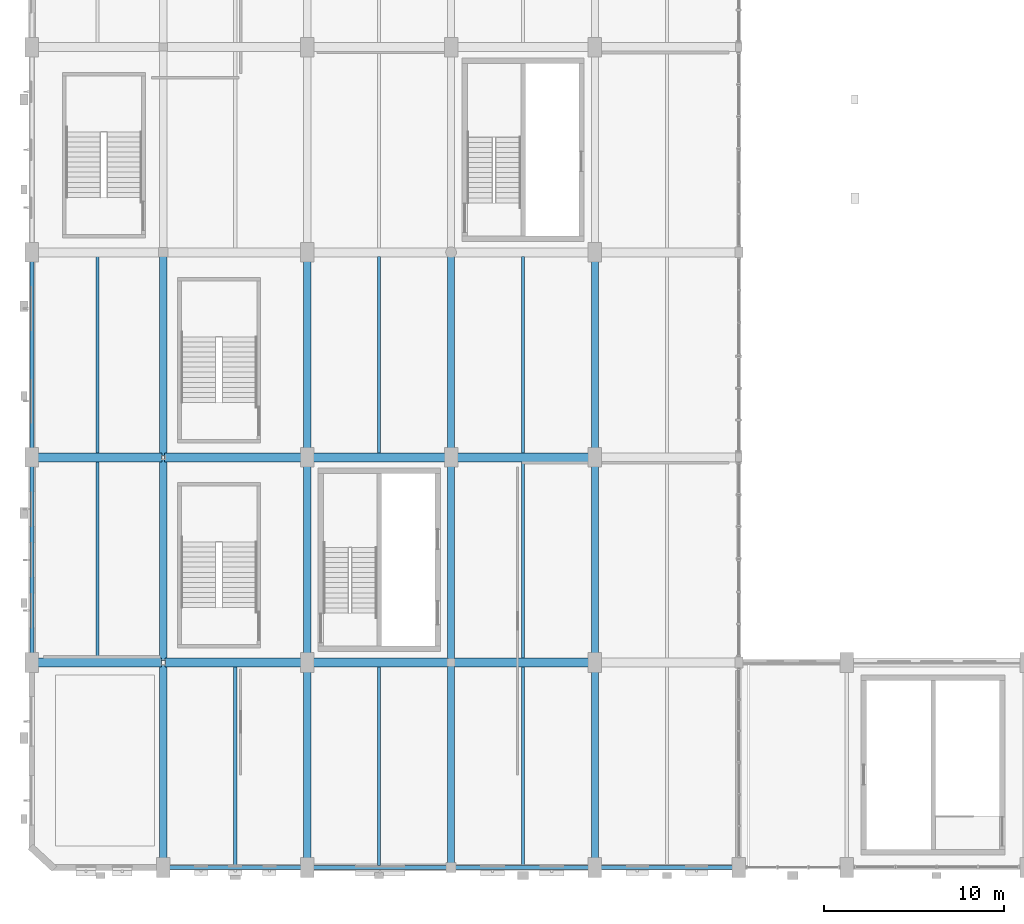
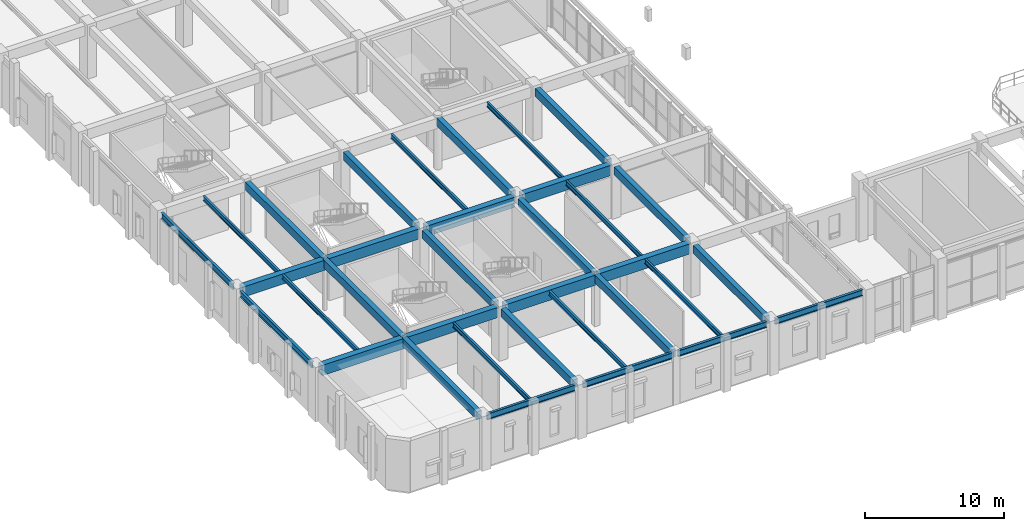
# One storey, part 16 of 106: 34 beams.
"""IFC4 building model written with IfcOpenShell, lengths in metres."""

import ifcopenshell
import ifcopenshell.guid

model = None  # the IFC model being written
_history = None  # IfcOwnerHistory: only IFC2X3 demands one
_inside = {}  # id of a spatial element -> (the spatial element, [elements in it])
_under = {}  # id of a project, library or spatial element -> (it, [spatial elements below it])
_declared = {}  # id of a project -> (the project, [libraries it declares])
_typed = {}  # id of a type object -> (the type object, [elements of that type])
_made_of = {}  # id of a material, layer set ... -> (it, [elements and type objects made of it])


def new_model(schema):
    """Start an empty IFC model of exactly this schema.

    Asked for "IFC4X3", IfcOpenShell would pick the latest addendum, in which some entities
    have other attributes; the version numbers below select the first issue.
    IFC2X3 requires an IfcOwnerHistory on every rooted entity: one is made here for all.
    """
    global model, _history
    if schema == "IFC4X3":
        model = ifcopenshell.file(schema_version=(4, 3, 0, 0))
    else:
        model = ifcopenshell.file(schema=schema)
    _inside.clear()
    _under.clear()
    _declared.clear()
    _typed.clear()
    _made_of.clear()
    _history = None
    if model.schema == "IFC2X3":
        org = make("IfcOrganization", Name="unknown")
        user = make(
            "IfcPersonAndOrganization",
            ThePerson=make("IfcPerson", FamilyName="unknown"),
            TheOrganization=org,
        )
        app = make(
            "IfcApplication",
            ApplicationDeveloper=org,
            Version="unknown",
            ApplicationFullName="unknown",
            ApplicationIdentifier="unknown",
        )
        _history = make(
            "IfcOwnerHistory",
            OwningUser=user,
            OwningApplication=app,
            ChangeAction="ADDED",
            CreationDate=0,
        )
    return model


def make(cls, **values):
    """One entity of the class cls with the attributes given. An attribute that is None is left unset."""
    return model.create_entity(
        cls, **{name: value for name, value in values.items() if value is not None}
    )


def rooted(cls, **values):
    """An entity with a GlobalId (a new one), such as an element, a storey or a relation."""
    return make(cls, GlobalId=ifcopenshell.guid.new(), OwnerHistory=_history, **values)


def si_unit(unit_type, name, prefix=None):
    """IfcSIUnit, for example si_unit("LENGTHUNIT", "METRE", prefix="MILLI")."""
    return make("IfcSIUnit", UnitType=unit_type, Prefix=prefix, Name=name)


def assignment(units):
    """IfcUnitAssignment: the units of a project."""
    return None if units is None else make("IfcUnitAssignment", Units=units)


def point(xyz):
    """IfcCartesianPoint."""
    return None if xyz is None else make("IfcCartesianPoint", Coordinates=xyz)


def direction(xyz):
    """IfcDirection."""
    return None if xyz is None else make("IfcDirection", DirectionRatios=xyz)


def frame(location, z_axis=None, x_axis=None):
    """IfcAxis2Placement3D, a coordinate frame: its origin and axes. An axis left out is left unset."""
    return make(
        "IfcAxis2Placement3D",
        Location=point(location),
        Axis=direction(z_axis),
        RefDirection=direction(x_axis),
    )


def frame_2d(location, x_axis=None):
    """IfcAxis2Placement2D, a coordinate frame in the plane: its origin and x axis."""
    return make(
        "IfcAxis2Placement2D", Location=point(location), RefDirection=direction(x_axis)
    )


def origin():
    """The frame at (0, 0, 0) with its axes left unset."""
    return frame((0.0, 0.0, 0.0))


def origin_2d():
    """The frame at (0, 0) in the plane with its x axis left unset."""
    return frame_2d((0.0, 0.0))


def place(relative_to, where):
    """IfcLocalPlacement: puts the frame where relative to a parent placement (None: the world)."""
    return make(
        "IfcLocalPlacement", PlacementRelTo=relative_to, RelativePlacement=where
    )


def context(
    kind, dimensions, precision=None, world=None, true_north=None, identifier=None
):
    """IfcGeometricRepresentationContext, for example the 3D "Model" context."""
    return make(
        "IfcGeometricRepresentationContext",
        ContextIdentifier=identifier,
        ContextType=kind,
        CoordinateSpaceDimension=dimensions,
        Precision=precision,
        WorldCoordinateSystem=world,
        TrueNorth=true_north,
    )


def subcontext(parent, identifier, kind, view, scale=None):
    """IfcGeometricRepresentationSubContext, for example "Body" below "Model"."""
    return make(
        "IfcGeometricRepresentationSubContext",
        ContextIdentifier=identifier,
        ContextType=kind,
        ParentContext=parent,
        TargetScale=scale,
        TargetView=view,
    )


def project(units=None, contexts=None):
    """IfcProject with its units and contexts."""
    return rooted(
        "IfcProject",
        Name="project",
        RepresentationContexts=contexts,
        UnitsInContext=assignment(units),
    )


def spatial(cls, under=None, at=None, **own):
    """A site, building, storey or space (cls), placed at a placement, below another one or the project."""
    s = rooted(cls, ObjectPlacement=at, **own)
    if under is not None:
        _under.setdefault(under.id(), (under, []))[1].append(s)
    return s


def profile(cls, at=None, kind="AREA", **sizes):
    """A parametric profile (cls). Its sizes go by their IFC names, for example OverallWidth=200.0."""
    return make(cls, ProfileType=kind, Position=at, **sizes)


def rectangle(**sizes):
    """IfcRectangleProfileDef."""
    return profile("IfcRectangleProfileDef", **sizes)


def i_section(**sizes):
    """IfcIShapeProfileDef."""
    return profile("IfcIShapeProfileDef", **sizes)


def extrude(swept, where, along, depth):
    """IfcExtrudedAreaSolid: the profile swept, set in the frame where, extruded along a direction by depth."""
    return make(
        "IfcExtrudedAreaSolid",
        SweptArea=swept,
        Position=where,
        ExtrudedDirection=direction(along),
        Depth=depth,
    )


def shape(context_of_items, identifier, shape_type, items):
    """IfcShapeRepresentation: the items that make up one representation, for example the "Body"."""
    return make(
        "IfcShapeRepresentation",
        ContextOfItems=context_of_items,
        RepresentationIdentifier=identifier,
        RepresentationType=shape_type,
        Items=items,
    )


def material(Name=None, Category=None):
    """IfcMaterial."""
    return make("IfcMaterial", Name=Name, Category=Category)


def material_profile(
    of_material, cross_section, Name=None, Category=None, Priority=None
):
    """IfcMaterialProfile: a cross section and its material."""
    return make(
        "IfcMaterialProfile",
        Name=Name,
        Material=of_material,
        Profile=cross_section,
        Priority=Priority,
        Category=Category,
    )


def profile_set(profiles, Name=None, composite=None):
    """IfcMaterialProfileSet."""
    return make(
        "IfcMaterialProfileSet",
        Name=Name,
        MaterialProfiles=profiles,
        CompositeProfile=composite,
    )


def made_of(thing, what):
    """Note that an element or type object is made of a material, layer set ...; save() writes the relation."""
    if what is not None:
        _made_of.setdefault(what.id(), (what, []))[1].append(thing)
    return thing


def type_object(cls, material=None, **own):
    """A type object (cls), such as IfcWallType, which elements share."""
    return made_of(rooted(cls, **own), material)


def element(
    cls,
    number,
    at=None,
    inside=None,
    cuts=None,
    type_object=None,
    material=None,
    context=None,
    identifier="Body",
    shape_type=None,
    held_by="IfcProductDefinitionShape",
    body=None,
    shapes=None,
    **own,
):
    """One element of the class cls, such as IfcWall. Its Tag is "e" and its number.

    at: its placement. inside: the storey or other place that contains it. cuts: it is an
    opening in that element (IfcRelVoidsElement). A single representation is given by context,
    identifier, shape_type and body (its items); several are given by shapes. held_by: the class
    of the entity that holds the representations. save() writes the other relations.
    """
    e = rooted(cls, Tag="e%d" % number, ObjectPlacement=at, **own)
    if body is not None:
        shapes = [shape(context, identifier, shape_type, body)]
    if shapes is not None:
        e.Representation = make(held_by, Representations=shapes)
    if inside is not None:
        _inside.setdefault(inside.id(), (inside, []))[1].append(e)
    if cuts is not None:
        rooted(
            "IfcRelVoidsElement", RelatingBuildingElement=cuts, RelatedOpeningElement=e
        )
    if type_object is not None:
        _typed.setdefault(type_object.id(), (type_object, []))[1].append(e)
    return made_of(e, material)


def aggregate(whole, parts):
    """IfcRelAggregates: a whole, such as a stair, and the parts it consists of."""
    return rooted("IfcRelAggregates", RelatingObject=whole, RelatedObjects=parts)


def save(model, path):
    """Write the relations noted so far, then the file.

    IfcRelAggregates (storeys below a building ...), IfcRelContainedInSpatialStructure (elements
    in a storey), IfcRelDefinesByType, IfcRelAssociatesMaterial and IfcRelDeclares: one each for
    every whole, place, type object, material and project.
    """
    for whole, parts in _under.values():
        aggregate(whole, parts)
    for where, things in _inside.values():
        rooted(
            "IfcRelContainedInSpatialStructure",
            RelatedElements=things,
            RelatingStructure=where,
        )
    for kind, things in _typed.values():
        rooted("IfcRelDefinesByType", RelatedObjects=things, RelatingType=kind)
    for what, things in _made_of.values():
        rooted("IfcRelAssociatesMaterial", RelatedObjects=things, RelatingMaterial=what)
    for by, libraries in _declared.values():
        rooted("IfcRelDeclares", RelatingContext=by, RelatedDefinitions=libraries)
    model.write(path)


model = new_model("IFC4")

# Units and contexts
model_context = context("Model", 3, precision=1e-05, world=origin(), true_north=direction((0.0, 1.0)))
body_context = subcontext(model_context, "Body", "Model", "MODEL_VIEW")
ifc_project = project(units=[si_unit("LENGTHUNIT", "METRE"), si_unit("AREAUNIT", "SQUARE_METRE"), si_unit("VOLUMEUNIT", "CUBIC_METRE"), si_unit("PLANEANGLEUNIT", "RADIAN"), si_unit("MASSUNIT", "GRAM", prefix="KILO"), si_unit("POWERUNIT", "WATT"), si_unit("THERMODYNAMICTEMPERATUREUNIT", "KELVIN")], contexts=[model_context])

# Site, building, storey
site_placement = place(None, origin())
site = spatial("IfcSite", under=ifc_project, at=site_placement, CompositionType="ELEMENT")
building_placement = place(site_placement, origin())
building = spatial("IfcBuilding", under=site, at=building_placement, Name="Kelmbourne Parkland Aquatics Centre", CompositionType="ELEMENT")
storey_placement = place(building_placement, frame((0.0, 0.0, 5.39990234375)))
storey = spatial("IfcBuildingStorey", under=building, at=storey_placement, Name="L01", CompositionType="ELEMENT", Elevation=5.39990234375)

# Beams
ifc_material_1 = material(Name="Concrete C40/50", Category="concrete")
ifc_material_profile_1 = material_profile(ifc_material_1, rectangle(XDim=0.5, YDim=0.89990234375, at=origin_2d()), Name="RC 500x900")
ifc_profile_set_1 = profile_set([ifc_material_profile_1], Name="Concrete C40/50")
beam_type_1 = type_object("IfcBeamType", Name="BM-G03", PredefinedType="BEAM", material=ifc_profile_set_1)
beam_1_placement = place(storey_placement, frame((1.030029296875, 12.199951171875, 4.110107421875), z_axis=(1.0, 0.0, 0.0), x_axis=(0.0, 1.0, 0.0)))
element("IfcBeam", 1, at=beam_1_placement, inside=storey, type_object=beam_type_1, Name="Primary girder A-B Grid 03 (L02)", PredefinedType="BEAM", context=body_context, shape_type="SweptSolid", body=[
    extrude(rectangle(XDim=0.5, YDim=0.89990234375, at=origin_2d()), origin(), (0.0, 0.0, 1.0), 6.864990234375),
])
beam_2_placement = place(storey_placement, frame((8.10498046875, 12.199951171875, 4.110107421875), z_axis=(1.0, 0.0, 0.0), x_axis=(0.0, 1.0, 0.0)))
element("IfcBeam", 2, at=beam_2_placement, inside=storey, type_object=beam_type_1, Name="Primary girder B-C Grid 03 (L02)", PredefinedType="BEAM", context=body_context, shape_type="SweptSolid", body=[
    extrude(rectangle(XDim=0.5, YDim=0.89990234375, at=origin_2d()), origin(), (0.0, 0.0, 1.0), 7.56494140625),
])
for number, where, z_axis, x_axis, name in (
    (3, (16.330078125, 12.199951171875, 4.110107421875), (1.0, 0.0, 0.0), (0.0, 1.0, 0.0), "Primary girder C-D Grid 03 (L02)"),
    (4, (24.179931640625, 12.199951171875, 4.110107421875), (1.0, 0.0, 0.0), (0.0, 1.0, 0.0), "Primary girder D-E Grid 03 (L02)"),
):
    element("IfcBeam", number, at=place(storey_placement, frame(where, z_axis=z_axis, x_axis=x_axis)), inside=storey, type_object=beam_type_1, Name=name, PredefinedType="BEAM", context=body_context, shape_type="SweptSolid", body=[
        extrude(rectangle(XDim=0.5, YDim=0.89990234375, at=origin_2d()), origin(), (0.0, 0.0, 1.0), 7.489990234375),
    ])
beam_3_placement = place(storey_placement, frame((1.030029296875, 23.60009765625, 4.110107421875), z_axis=(1.0, 0.0, 0.0), x_axis=(0.0, 1.0, 0.0)))
element("IfcBeam", 5, at=beam_3_placement, inside=storey, type_object=beam_type_1, Name="Primary girder A-B Grid 04 (L02)", PredefinedType="BEAM", context=body_context, shape_type="SweptSolid", body=[
    extrude(rectangle(XDim=0.5, YDim=0.89990234375, at=origin_2d()), origin(), (0.0, 0.0, 1.0), 6.889892578125),
])
beam_4_placement = place(storey_placement, frame((8.080078125, 23.60009765625, 4.110107421875), z_axis=(1.0, 0.0, 0.0), x_axis=(0.0, 1.0, 0.0)))
element("IfcBeam", 6, at=beam_4_placement, inside=storey, type_object=beam_type_1, Name="Primary girder B-C Grid 04 (L02)", PredefinedType="BEAM", context=body_context, shape_type="SweptSolid", body=[
    extrude(rectangle(XDim=0.5, YDim=0.89990234375, at=origin_2d()), origin(), (0.0, 0.0, 1.0), 7.58984375),
])
for number, where, z_axis, x_axis, name in (
    (7, (16.330078125, 23.60009765625, 4.110107421875), (1.0, 0.0, 0.0), (0.0, 1.0, 0.0), "Primary girder C-D Grid 04 (L02)"),
    (8, (24.330078125, 23.60009765625, 4.110107421875), (1.0, 0.0, 0.0), (0.0, 1.0, 0.0), "Primary girder D-E Grid 04 (L02)"),
):
    element("IfcBeam", number, at=place(storey_placement, frame(where, z_axis=z_axis, x_axis=x_axis)), inside=storey, type_object=beam_type_1, Name=name, PredefinedType="BEAM", context=body_context, shape_type="SweptSolid", body=[
        extrude(rectangle(XDim=0.5, YDim=0.89990234375, at=origin_2d()), origin(), (0.0, 0.0, 1.0), 7.33984375),
    ])
ifc_material_profile_2 = material_profile(ifc_material_1, rectangle(XDim=0.39990234375, YDim=0.699951171875, at=origin_2d()), Name="RC 400x700")
ifc_profile_set_2 = profile_set([ifc_material_profile_2], Name="Concrete C40/50")
beam_type_2 = type_object("IfcBeamType", Name="BM-G05", PredefinedType="BEAM", material=ifc_profile_set_2)
beam_5_placement = place(storey_placement, frame((8.0, 1.304931640625, 4.210205078125), z_axis=(0.0, 1.0, 0.0), x_axis=(-1.0, 0.0, 0.0)))
element("IfcBeam", 9, at=beam_5_placement, inside=storey, type_object=beam_type_2, Name="Primary girder 01-03 Grid B (L02)", PredefinedType="BEAM", context=body_context, shape_type="SweptSolid", body=[
    extrude(rectangle(XDim=0.39990234375, YDim=0.699951171875, at=origin_2d()), origin(), (0.0, 0.0, 1.0), 10.7900390625),
])
beam_6_placement = place(storey_placement, frame((8.0, 12.304931640625, 4.210205078125), z_axis=(0.0, 1.0, 0.0), x_axis=(-1.0, 0.0, 0.0)))
element("IfcBeam", 10, at=beam_6_placement, inside=storey, type_object=beam_type_2, Name="Primary girder 03-04 Grid B (L02)", PredefinedType="BEAM", context=body_context, shape_type="SweptSolid", body=[
    extrude(rectangle(XDim=0.39990234375, YDim=0.699951171875, at=origin_2d()), origin(), (0.0, 0.0, 1.0), 11.215087890625),
])
beam_7_placement = place(storey_placement, frame((8.0, 23.679931640625, 4.210205078125), z_axis=(0.0, 1.0, 0.0), x_axis=(-1.0, 0.0, 0.0)))
element("IfcBeam", 11, at=beam_7_placement, inside=storey, type_object=beam_type_2, Name="Primary girder 04-05 Grid B (L02)", PredefinedType="BEAM", context=body_context, shape_type="SweptSolid", body=[
    extrude(rectangle(XDim=0.39990234375, YDim=0.699951171875, at=origin_2d()), origin(), (0.0, 0.0, 1.0), 11.090087890625),
])
beam_8_placement = place(storey_placement, frame((16.0, 1.304931640625, 4.210205078125), z_axis=(0.0, 1.0, 0.0), x_axis=(-1.0, 0.0, 0.0)))
element("IfcBeam", 12, at=beam_8_placement, inside=storey, type_object=beam_type_2, Name="Primary girder 01-03 Grid C (L02)", PredefinedType="BEAM", context=body_context, shape_type="SweptSolid", body=[
    extrude(rectangle(XDim=0.39990234375, YDim=0.699951171875, at=origin_2d()), origin(), (0.0, 0.0, 1.0), 10.39013671875),
])
beam_9_placement = place(storey_placement, frame((16.0, 12.705078125, 4.210205078125), z_axis=(0.0, 1.0, 0.0), x_axis=(-1.0, 0.0, 0.0)))
element("IfcBeam", 13, at=beam_9_placement, inside=storey, type_object=beam_type_2, Name="Primary girder 03-04 Grid C (L02)", PredefinedType="BEAM", context=body_context, shape_type="SweptSolid", body=[
    extrude(rectangle(XDim=0.39990234375, YDim=0.699951171875, at=origin_2d()), origin(), (0.0, 0.0, 1.0), 10.389892578125),
])
beam_10_placement = place(storey_placement, frame((16.0, 24.10498046875, 4.210205078125), z_axis=(0.0, 1.0, 0.0), x_axis=(-1.0, 0.0, 0.0)))
element("IfcBeam", 14, at=beam_10_placement, inside=storey, type_object=beam_type_2, Name="Primary girder 04-05 Grid C (L02)", PredefinedType="BEAM", context=body_context, shape_type="SweptSolid", body=[
    extrude(rectangle(XDim=0.39990234375, YDim=0.699951171875, at=origin_2d()), origin(), (0.0, 0.0, 1.0), 10.39013671875),
])
beam_11_placement = place(storey_placement, frame((24.0, 1.030029296875, 4.210205078125), z_axis=(0.0, 1.0, 0.0), x_axis=(-1.0, 0.0, 0.0)))
element("IfcBeam", 15, at=beam_11_placement, inside=storey, type_object=beam_type_2, Name="Primary girder 01-03 Grid D (L02)", PredefinedType="BEAM", context=body_context, shape_type="SweptSolid", body=[
    extrude(rectangle(XDim=0.39990234375, YDim=0.699951171875, at=origin_2d()), origin(), (0.0, 0.0, 1.0), 10.989990234375),
])
beam_12_placement = place(storey_placement, frame((24.0, 12.3798828125, 4.210205078125), z_axis=(0.0, 1.0, 0.0), x_axis=(-1.0, 0.0, 0.0)))
element("IfcBeam", 16, at=beam_12_placement, inside=storey, type_object=beam_type_2, Name="Primary girder 03-04 Grid D (L02)", PredefinedType="BEAM", context=body_context, shape_type="SweptSolid", body=[
    extrude(rectangle(XDim=0.39990234375, YDim=0.699951171875, at=origin_2d()), origin(), (0.0, 0.0, 1.0), 10.715087890625),
])
beam_13_placement = place(storey_placement, frame((24.0, 24.10498046875, 4.210205078125), z_axis=(0.0, 1.0, 0.0), x_axis=(-1.0, 0.0, 0.0)))
element("IfcBeam", 17, at=beam_13_placement, inside=storey, type_object=beam_type_2, Name="Primary girder 04-05 Grid D (L02)", PredefinedType="BEAM", context=body_context, shape_type="SweptSolid", body=[
    extrude(rectangle(XDim=0.39990234375, YDim=0.699951171875, at=origin_2d()), origin(), (0.0, 0.0, 1.0), 10.72412109375),
])
beam_14_placement = place(storey_placement, frame((32.0, 1.304931640625, 4.210205078125), z_axis=(0.0, 1.0, 0.0), x_axis=(-1.0, 0.0, 0.0)))
element("IfcBeam", 18, at=beam_14_placement, inside=storey, type_object=beam_type_2, Name="Primary girder 01-03 Grid E (L02)", PredefinedType="BEAM", context=body_context, shape_type="SweptSolid", body=[
    extrude(rectangle(XDim=0.39990234375, YDim=0.699951171875, at=origin_2d()), origin(), (0.0, 0.0, 1.0), 10.39013671875),
])
beam_15_placement = place(storey_placement, frame((32.0, 12.705078125, 4.210205078125), z_axis=(0.0, 1.0, 0.0), x_axis=(-1.0, 0.0, 0.0)))
element("IfcBeam", 19, at=beam_15_placement, inside=storey, type_object=beam_type_2, Name="Primary girder 03-04 Grid E (L02)", PredefinedType="BEAM", context=body_context, shape_type="SweptSolid", body=[
    extrude(rectangle(XDim=0.39990234375, YDim=0.699951171875, at=origin_2d()), origin(), (0.0, 0.0, 1.0), 10.389892578125),
])
beam_16_placement = place(storey_placement, frame((32.0, 24.10498046875, 4.210205078125), z_axis=(0.0, 1.0, 0.0), x_axis=(-1.0, 0.0, 0.0)))
element("IfcBeam", 20, at=beam_16_placement, inside=storey, type_object=beam_type_2, Name="Primary girder 04-05 Grid E (L02)", PredefinedType="BEAM", context=body_context, shape_type="SweptSolid", body=[
    extrude(rectangle(XDim=0.39990234375, YDim=0.699951171875, at=origin_2d()), origin(), (0.0, 0.0, 1.0), 10.39013671875),
])
ifc_material_2 = material(Name="Structural steel AS/NZS 3679.1 Grade 300", Category="steel")
ifc_material_profile_3 = material_profile(ifc_material_2, i_section(OverallWidth=0.177978515625, OverallDepth=0.406005859375, WebThickness=0.0078125, FlangeThickness=0.0126953125, at=origin_2d()), Name="410UB59.7")
ifc_profile_set_3 = profile_set([ifc_material_profile_3], Name="Structural steel AS/NZS 3679.1 Grade 300")
beam_type_3 = type_object("IfcBeamType", Name="BM-J01", PredefinedType="JOIST", material=ifc_profile_set_3)
for number, where, z_axis, x_axis, name in (
    (21, (4.35009765625, 12.44189453125, 4.357177734375), (0.0, 1.0, 0.0), (-1.0, 0.0, 0.0), "Secondary floor joist A-B/03-04 #1 (L02)"),
    (22, (4.35009765625, 23.842041015625, 4.357177734375), (0.0, 1.0, 0.0), (-1.0, 0.0, 0.0), "Secondary floor joist A-B/04-05 #1 (L02)"),
):
    element("IfcBeam", number, at=place(storey_placement, frame(where, z_axis=z_axis, x_axis=x_axis)), inside=storey, type_object=beam_type_3, Name=name, PredefinedType="JOIST", context=body_context, shape_type="SweptSolid", body=[
        extrude(i_section(OverallWidth=0.177978515625, OverallDepth=0.406005859375, WebThickness=0.0078125, FlangeThickness=0.0126953125, at=origin_2d()), origin(), (0.0, 0.0, 1.0), 10.916015625),
    ])
for number, where, z_axis, x_axis, name in (
    (23, (12.0, 0.896484375, 4.357177734375), (0.0, 1.0, 0.0), (-1.0, 0.0, 0.0), "Secondary floor joist B-C/01-03 #1 (L02)"),
    (24, (20.0, 0.896484375, 4.357177734375), (0.0, 1.0, 0.0), (-1.0, 0.0, 0.0), "Secondary floor joist C-D/01-03 #1 (L02)"),
):
    element("IfcBeam", number, at=place(storey_placement, frame(where, z_axis=z_axis, x_axis=x_axis)), inside=storey, type_object=beam_type_3, Name=name, PredefinedType="JOIST", context=body_context, shape_type="SweptSolid", body=[
        extrude(i_section(OverallWidth=0.177978515625, OverallDepth=0.406005859375, WebThickness=0.0078125, FlangeThickness=0.0126953125, at=origin_2d()), origin(), (0.0, 0.0, 1.0), 11.0615234375),
    ])
beam_17_placement = place(storey_placement, frame((20.0, 23.842041015625, 4.357177734375), z_axis=(0.0, 1.0, 0.0), x_axis=(-1.0, 0.0, 0.0)))
element("IfcBeam", 25, at=beam_17_placement, inside=storey, type_object=beam_type_3, Name="Secondary floor joist C-D/04-05 #1 (L02)", PredefinedType="JOIST", context=body_context, shape_type="SweptSolid", body=[
    extrude(i_section(OverallWidth=0.177978515625, OverallDepth=0.406005859375, WebThickness=0.0078125, FlangeThickness=0.0126953125, at=origin_2d()), origin(), (0.0, 0.0, 1.0), 10.916015625),
])
beam_18_placement = place(storey_placement, frame((28.0, 0.896484375, 4.357177734375), z_axis=(0.0, 1.0, 0.0), x_axis=(-1.0, 0.0, 0.0)))
element("IfcBeam", 26, at=beam_18_placement, inside=storey, type_object=beam_type_3, Name="Secondary floor joist D-E/01-03 #1 (L02)", PredefinedType="JOIST", context=body_context, shape_type="SweptSolid", body=[
    extrude(i_section(OverallWidth=0.177978515625, OverallDepth=0.406005859375, WebThickness=0.0078125, FlangeThickness=0.0126953125, at=origin_2d()), origin(), (0.0, 0.0, 1.0), 11.0615234375),
])
for number, where, z_axis, x_axis, name in (
    (27, (28.0, 12.44189453125, 4.357177734375), (0.0, 1.0, 0.0), (-1.0, 0.0, 0.0), "Secondary floor joist D-E/03-04 #1 (L02)"),
    (28, (28.0, 23.842041015625, 4.357177734375), (0.0, 1.0, 0.0), (-1.0, 0.0, 0.0), "Secondary floor joist D-E/04-05 #1 (L02)"),
):
    element("IfcBeam", number, at=place(storey_placement, frame(where, z_axis=z_axis, x_axis=x_axis)), inside=storey, type_object=beam_type_3, Name=name, PredefinedType="JOIST", context=body_context, shape_type="SweptSolid", body=[
        extrude(i_section(OverallWidth=0.177978515625, OverallDepth=0.406005859375, WebThickness=0.0078125, FlangeThickness=0.0126953125, at=origin_2d()), origin(), (0.0, 0.0, 1.0), 10.916015625),
    ])
ifc_material_profile_4 = material_profile(ifc_material_2, i_section(OverallWidth=0.208984375, OverallDepth=0.532958984375, WebThickness=0.01025390625, FlangeThickness=0.015625, at=origin_2d()), Name="530UB92.4")
ifc_profile_set_4 = profile_set([ifc_material_profile_4], Name="Structural steel AS/NZS 3679.1 Grade 300")
beam_type_4 = type_object("IfcBeamType", Name="BM-SP02", PredefinedType="SPANDREL", material=ifc_profile_set_4)
beam_19_placement = place(storey_placement, frame((8.330078125, 0.800048828125, 4.293701171875), z_axis=(1.0, 0.0, 0.0), x_axis=(0.0, 1.0, 0.0)))
element("IfcBeam", 29, at=beam_19_placement, inside=storey, type_object=beam_type_4, Name="Perimeter spandrel B-C Grid 01 (L02)", PredefinedType="SPANDREL", context=body_context, shape_type="SweptSolid", body=[
    extrude(i_section(OverallWidth=0.208984375, OverallDepth=0.532958984375, WebThickness=0.01025390625, FlangeThickness=0.015625, at=origin_2d()), origin(), (0.0, 0.0, 1.0), 7.33984375),
])
for number, where, z_axis, x_axis, name in (
    (30, (16.330078125, 0.800048828125, 4.293701171875), (1.0, 0.0, 0.0), (0.0, 1.0, 0.0), "Perimeter spandrel C-D Grid 01 (L02)"),
    (31, (24.22998046875, 0.800048828125, 4.293701171875), (1.0, 0.0, 0.0), (0.0, 1.0, 0.0), "Perimeter spandrel D-E Grid 01 (L02)"),
):
    element("IfcBeam", number, at=place(storey_placement, frame(where, z_axis=z_axis, x_axis=x_axis)), inside=storey, type_object=beam_type_4, Name=name, PredefinedType="SPANDREL", context=body_context, shape_type="SweptSolid", body=[
        extrude(i_section(OverallWidth=0.208984375, OverallDepth=0.532958984375, WebThickness=0.01025390625, FlangeThickness=0.015625, at=origin_2d()), origin(), (0.0, 0.0, 1.0), 7.43994140625),
    ])
beam_20_placement = place(storey_placement, frame((32.330078125, 0.800048828125, 4.293701171875), z_axis=(1.0, 0.0, 0.0), x_axis=(0.0, 1.0, 0.0)))
element("IfcBeam", 32, at=beam_20_placement, inside=storey, type_object=beam_type_4, Name="Perimeter spandrel E-F Grid 01 (L02)", PredefinedType="SPANDREL", context=body_context, shape_type="SweptSolid", body=[
    extrude(i_section(OverallWidth=0.208984375, OverallDepth=0.532958984375, WebThickness=0.01025390625, FlangeThickness=0.015625, at=origin_2d()), origin(), (0.0, 0.0, 1.0), 7.33984375),
])
beam_21_placement = place(storey_placement, frame((0.699951171875, 12.705078125, 4.293701171875), z_axis=(0.0, 1.0, 0.0), x_axis=(-1.0, 0.0, 0.0)))
element("IfcBeam", 33, at=beam_21_placement, inside=storey, type_object=beam_type_4, Name="Perimeter spandrel 03-04 Grid A (L02)", PredefinedType="SPANDREL", context=body_context, shape_type="SweptSolid", body=[
    extrude(i_section(OverallWidth=0.208984375, OverallDepth=0.532958984375, WebThickness=0.01025390625, FlangeThickness=0.015625, at=origin_2d()), origin(), (0.0, 0.0, 1.0), 10.389892578125),
])
beam_22_placement = place(storey_placement, frame((0.699951171875, 24.10498046875, 4.293701171875), z_axis=(0.0, 1.0, 0.0), x_axis=(-1.0, 0.0, 0.0)))
element("IfcBeam", 34, at=beam_22_placement, inside=storey, type_object=beam_type_4, Name="Perimeter spandrel 04-05 Grid A (L02)", PredefinedType="SPANDREL", context=body_context, shape_type="SweptSolid", body=[
    extrude(i_section(OverallWidth=0.208984375, OverallDepth=0.532958984375, WebThickness=0.01025390625, FlangeThickness=0.015625, at=origin_2d()), origin(), (0.0, 0.0, 1.0), 10.39013671875),
])

save(model, "model.ifc")
